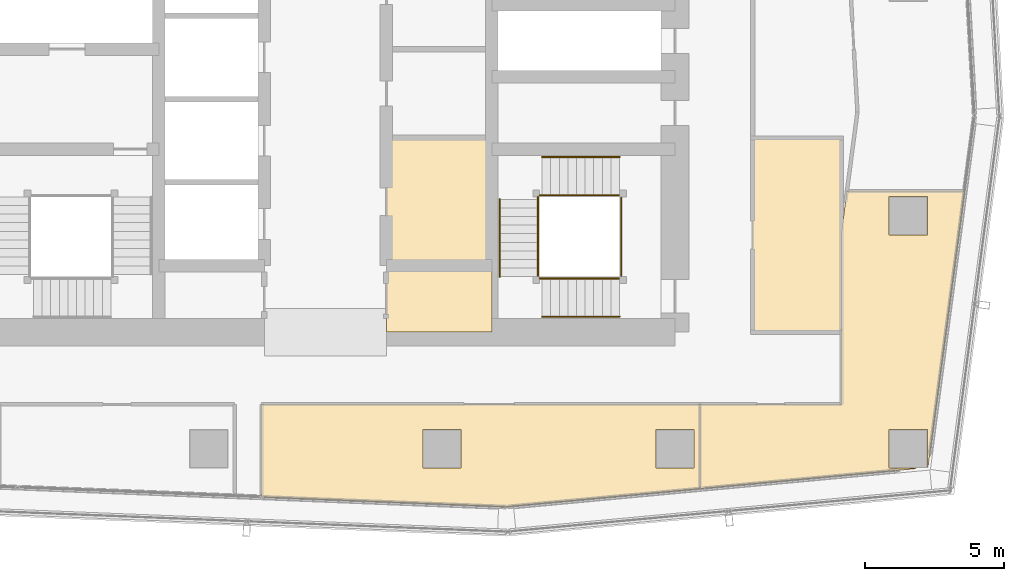
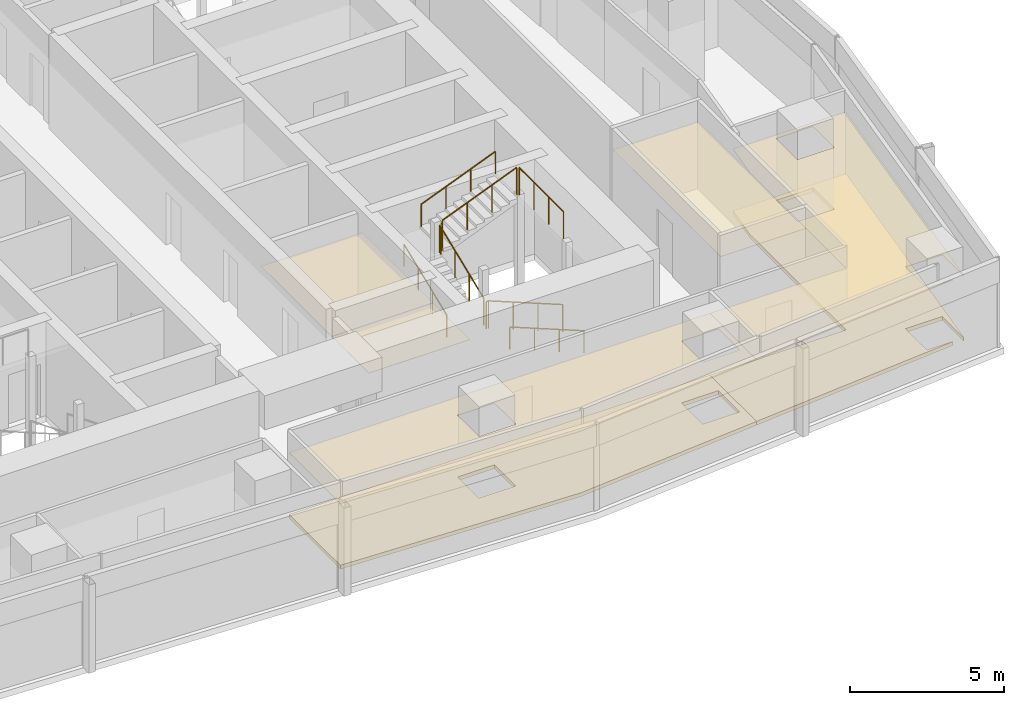
# One storey, part 35 of 38: 10 railings, 7 coverings.
"""IFC4 building model written with IfcOpenShell, lengths in metres."""

from ifc_helpers import new_model, si_unit, direction, frame, origin, origin_2d, place, context, subcontext, project, spatial, polyline, circle, outline, extrude, material, layer, layer_set, type_object, element, save


model = new_model("IFC4")

# Units and contexts
model_context = context("Model", 3, precision=1e-05, world=origin(), true_north=direction((0.0, 1.0)))
body_context = subcontext(model_context, "Body", "Model", "MODEL_VIEW")
ifc_project = project(units=[si_unit("LENGTHUNIT", "METRE"), si_unit("AREAUNIT", "SQUARE_METRE"), si_unit("VOLUMEUNIT", "CUBIC_METRE"), si_unit("PLANEANGLEUNIT", "RADIAN"), si_unit("MASSUNIT", "GRAM", prefix="KILO")], contexts=[model_context])

# Site, building, storey
site_placement = place(None, origin())
site = spatial("IfcSite", under=ifc_project, at=site_placement, CompositionType="ELEMENT")
building_placement = place(site_placement, origin())
building = spatial("IfcBuilding", under=site, at=building_placement, Name="Rekha Terrace Tower", CompositionType="ELEMENT")
storey_placement = place(building_placement, frame((0.0, 0.0, 198.949951171875)))
storey = spatial("IfcBuildingStorey", under=building, at=storey_placement, Name="L50", CompositionType="ELEMENT", Elevation=198.949951171875)

# Coverings
ifc_material_1 = material(Name="Mineral fibre tile in exposed grid", Category="finish")
ifc_layer_1 = layer(ifc_material_1, 0.02001953125)
ifc_layer_set_1 = layer_set([ifc_layer_1], Name="Mineral fibre tile in exposed grid")
covering_type_1 = type_object("IfcCoveringType", Name="CL1 600x1200 office grid ceiling", PredefinedType="CEILING", material=ifc_layer_set_1)
covering_1_placement = place(storey_placement, frame((0.0, 0.0, 2.580078125)))
element("IfcCovering", 1, at=covering_1_placement, inside=storey, type_object=covering_type_1, Name="Ceiling L50-02", PredefinedType="CEILING", context=body_context, shape_type="SweptSolid", body=[
    extrude(outline(polyline([(56.39990234375, 18.39990234375), (51.291015625, 18.39990234375), (51.291015625, 15.362060546875), (59.080078125, 16.0869140625), (59.0791015625, 16.110107421875), (58.110107421875, 16.110107421875), (58.110107421875, 17.489990234375), (59.489990234375, 17.489990234375), (59.489990234375, 16.12890625), (59.510009765625, 16.1279296875), (60.8291015625, 26.0830078125), (56.592041015625, 26.0830078125), (56.39990234375, 24.633056640625), (56.39990234375, 18.39990234375)]), holes=[polyline([(59.489990234375, 24.510009765625), (58.110107421875, 24.510009765625), (58.110107421875, 25.889892578125), (59.489990234375, 25.889892578125), (59.489990234375, 24.510009765625)])]), origin(), (0.0, 0.0, 1.0), 0.02001953125),
])
covering_2_placement = place(storey_placement, frame((0.0, 0.0, 2.580078125)))
element("IfcCovering", 2, at=covering_2_placement, inside=storey, type_object=covering_type_1, Name="Ceiling L50-18", PredefinedType="CEILING", context=body_context, shape_type="SweptSolid", body=[
    extrude(outline(polyline([(35.508056640625, 15.06298828125), (44.343994140625, 14.7109375), (44.343994140625, 14.715087890625), (51.291015625, 15.362060546875), (51.291015625, 18.39990234375), (35.508056640625, 18.39990234375), (35.508056640625, 15.06298828125)]), holes=[polyline([(51.090087890625, 16.110107421875), (49.7099609375, 16.110107421875), (49.7099609375, 17.489990234375), (51.090087890625, 17.489990234375), (51.090087890625, 16.110107421875)]), polyline([(42.68994140625, 17.489990234375), (42.68994140625, 16.110107421875), (41.31005859375, 16.110107421875), (41.31005859375, 17.489990234375), (42.68994140625, 17.489990234375)])]), origin(), (0.0, 0.0, 1.0), 0.02001953125),
])
ifc_material_2 = material(Name="Fibre cement board", Category="finish")
ifc_layer_2 = layer(ifc_material_2, 0.014892578125)
ifc_layer_set_2 = layer_set([ifc_layer_2], Name="Fibre cement board")
covering_type_2 = type_object("IfcCoveringType", Name="CL2 moisture-resistant board ceiling", PredefinedType="CEILING", material=ifc_layer_set_2)
covering_3_placement = place(storey_placement, frame((0.0, 0.0, 2.5849609375)))
element("IfcCovering", 3, at=covering_3_placement, inside=storey, type_object=covering_type_2, Name="Ceiling L50-WCA", PredefinedType="CEILING", context=body_context, shape_type="SweptSolid", body=[
    extrude(outline(polyline([(43.800048828125, 23.39990234375), (40.0, 23.39990234375), (40.0, 21.0), (43.800048828125, 21.0), (43.800048828125, 23.39990234375)])), origin(), (0.0, 0.0, 1.0), 0.01513671875),
])
covering_4_placement = place(storey_placement, frame((0.0, 0.0, 2.5849609375)))
element("IfcCovering", 4, at=covering_4_placement, inside=storey, type_object=covering_type_2, Name="Ceiling L50-FSE1", PredefinedType="CEILING", context=body_context, shape_type="SweptSolid", body=[
    extrude(outline(polyline([(43.800048828125, 28.0), (40.0, 28.0), (40.0, 23.39990234375), (43.800048828125, 23.39990234375), (43.800048828125, 28.0)])), origin(), (0.0, 0.0, 1.0), 0.01513671875),
])
covering_5_placement = place(storey_placement, frame((0.0, 0.0, 2.5849609375)))
element("IfcCovering", 5, at=covering_5_placement, inside=storey, type_object=covering_type_2, Name="Ceiling L50-WCM2", PredefinedType="CEILING", context=body_context, shape_type="SweptSolid", body=[
    extrude(outline(polyline([(56.39990234375, 28.0), (53.199951171875, 28.0), (53.199951171875, 21.0), (56.39990234375, 21.0), (56.39990234375, 28.0)])), origin(), (0.0, 0.0, 1.0), 0.01513671875),
])

# Railings
ifc_material_3 = material(Name="Stainless steel balustrade", Category="steel")
railing_type_1 = type_object("IfcRailingType", Name="GR1 1100 stair guard", PredefinedType="GUARDRAIL", material=ifc_material_3)
railing_1_placement = place(storey_placement, frame((48.39990234375, 22.93994140625, 0.125)))
element("IfcRailing", 6, at=railing_1_placement, inside=storey, type_object=railing_type_1, Name="Guard ST3 L50 flight 1", PredefinedType="GUARDRAIL", context=body_context, shape_type="SweptSolid", body=[
    extrude(circle(Radius=0.02392578125, at=origin_2d()), frame((0.0, 0.0, 1.076171875), z_axis=(-0.927431937212, 0.0, 0.373991980981), x_axis=(0.0, -1.0, 0.0)), (0.0, 0.0, 1.0), 3.008056640625),
    extrude(circle(Radius=0.02099609375, at=origin_2d()), origin(), (0.0, 0.0, 1.0), 1.052001953125),
    extrude(circle(Radius=0.02099609375, at=origin_2d()), frame((-0.929931640625, 0.0, 0.375)), (0.0, 0.0, 1.0), 1.052001953125),
    extrude(circle(Radius=0.02099609375, at=origin_2d()), frame((-1.85986328125, 0.0, 0.75)), (0.0, 0.0, 1.0), 1.052001953125),
    extrude(circle(Radius=0.02099609375, at=origin_2d()), frame((-2.789794921875, 0.0, 1.125)), (0.0, 0.0, 1.0), 1.052001953125),
])
railing_2_placement = place(storey_placement, frame((45.465087890625, 23.0, 1.375)))
element("IfcRailing", 7, at=railing_2_placement, inside=storey, type_object=railing_type_1, Name="Guard ST3 L50 flight 2", PredefinedType="GUARDRAIL", context=body_context, shape_type="SweptSolid", body=[
    extrude(circle(Radius=0.02392578125, at=origin_2d()), frame((0.0, 0.0, 1.076171875), z_axis=(0.0, 0.927443287984, 0.373963831907), x_axis=(-1.0, 0.0, 0.0)), (0.0, 0.0, 1.0), 3.00830078125),
    extrude(circle(Radius=0.02099609375, at=origin_2d()), origin(), (0.0, 0.0, 1.0), 1.052001953125),
    extrude(circle(Radius=0.02099609375, at=origin_2d()), frame((0.0, 0.929931640625, 0.375)), (0.0, 0.0, 1.0), 1.052001953125),
    extrude(circle(Radius=0.02099609375, at=origin_2d()), frame((0.0, 1.860107421875, 0.75)), (0.0, 0.0, 1.0), 1.052001953125),
    extrude(circle(Radius=0.02099609375, at=origin_2d()), frame((0.0, 2.7900390625, 1.125)), (0.0, 0.0, 1.0), 1.052001953125),
])
railing_3_placement = place(storey_placement, frame((45.610107421875, 25.93505859375, 2.625)))
element("IfcRailing", 8, at=railing_3_placement, inside=storey, type_object=railing_type_1, Name="Guard ST3 L50 flight 3", PredefinedType="GUARDRAIL", context=body_context, shape_type="SweptSolid", body=[
    extrude(circle(Radius=0.02392578125, at=origin_2d()), frame((0.0, 0.0, 1.076171875), z_axis=(0.927431937212, 0.0, 0.373991980981), x_axis=(0.0, 1.0, 0.0)), (0.0, 0.0, 1.0), 3.008056640625),
    extrude(circle(Radius=0.02099609375, at=origin_2d()), origin(), (0.0, 0.0, 1.0), 1.052001953125),
    extrude(circle(Radius=0.02099609375, at=origin_2d()), frame((0.929931640625, 0.0, 0.375)), (0.0, 0.0, 1.0), 1.052001953125),
    extrude(circle(Radius=0.02099609375, at=origin_2d()), frame((1.85986328125, 0.0, 0.75)), (0.0, 0.0, 1.0), 1.052001953125),
    extrude(circle(Radius=0.02099609375, at=origin_2d()), frame((2.789794921875, 0.0, 1.125)), (0.0, 0.0, 1.0), 1.052001953125),
])
railing_4_placement = place(storey_placement, frame((45.610107421875, 22.93994140625, 1.25)))
element("IfcRailing", 9, at=railing_4_placement, inside=storey, type_object=railing_type_1, Name="Guard ST3 L50 landing 1", PredefinedType="GUARDRAIL", context=body_context, shape_type="SweptSolid", body=[
    extrude(circle(Radius=0.02392578125, at=origin_2d()), frame((0.0, 0.0, 1.076171875), z_axis=(-1.0, 0.0, 0.0), x_axis=(0.0, -1.0, 0.0)), (0.0, 0.0, 1.0), 0.085205078125),
    extrude(circle(Radius=0.02099609375, at=origin_2d()), origin(), (0.0, 0.0, 1.0), 1.052001953125),
    extrude(circle(Radius=0.02099609375, at=origin_2d()), frame((-0.085205078125, 0.0, 0.0)), (0.0, 0.0, 1.0), 1.052001953125),
])
railing_5_placement = place(storey_placement, frame((45.465087890625, 25.7900390625, 2.5)))
element("IfcRailing", 10, at=railing_5_placement, inside=storey, type_object=railing_type_1, Name="Guard ST3 L50 landing 2", PredefinedType="GUARDRAIL", context=body_context, shape_type="SweptSolid", body=[
    extrude(circle(Radius=0.02392578125, at=origin_2d()), frame((0.0, 0.0, 1.076171875), z_axis=(0.0, 1.0, 0.0), x_axis=(-1.0, 0.0, 0.0)), (0.0, 0.0, 1.0), 0.0849609375),
    extrude(circle(Radius=0.02099609375, at=origin_2d()), origin(), (0.0, 0.0, 1.0), 1.052001953125),
    extrude(circle(Radius=0.02099609375, at=origin_2d()), frame((0.0, 0.0849609375, 0.0)), (0.0, 0.0, 1.0), 1.052001953125),
])
railing_6_placement = place(storey_placement, frame((45.610107421875, 25.93505859375, 2.5)))
element("IfcRailing", 11, at=railing_6_placement, inside=storey, type_object=railing_type_1, Name="Guard ST3 L50 landing 3", PredefinedType="GUARDRAIL", context=body_context, shape_type="SweptSolid", body=[
    extrude(circle(Radius=0.02392578125, at=origin_2d()), frame((0.0, 0.0, 1.076171875), z_axis=(-1.0, 0.0, 0.0), x_axis=(0.0, -1.0, 0.0)), (0.0, 0.0, 1.0), 0.085205078125),
    extrude(circle(Radius=0.02099609375, at=origin_2d()), origin(), (0.0, 0.0, 1.0), 1.052001953125),
    extrude(circle(Radius=0.02099609375, at=origin_2d()), frame((-0.085205078125, 0.0, 0.0)), (0.0, 0.0, 1.0), 1.052001953125),
])
railing_7_placement = place(storey_placement, frame((48.4599609375, 23.0, 3.75)))
element("IfcRailing", 12, at=railing_7_placement, inside=storey, type_object=railing_type_1, Name="Guard ST3 L50 landing 4", PredefinedType="GUARDRAIL", context=body_context, shape_type="SweptSolid", body=[
    extrude(circle(Radius=0.02392578125, at=origin_2d()), frame((0.0, 0.0, 1.076171875), z_axis=(0.0, 1.0, 0.0), x_axis=(-1.0, 0.0, 0.0)), (0.0, 0.0, 1.0), 2.875),
    extrude(circle(Radius=0.02099609375, at=origin_2d()), origin(), (0.0, 0.0, 1.0), 1.052001953125),
    extrude(circle(Radius=0.02099609375, at=origin_2d()), frame((0.0, 0.958251953125, 0.0)), (0.0, 0.0, 1.0), 1.052001953125),
    extrude(circle(Radius=0.02099609375, at=origin_2d()), frame((0.0, 1.916748046875, 0.0)), (0.0, 0.0, 1.0), 1.052001953125),
    extrude(circle(Radius=0.02099609375, at=origin_2d()), frame((0.0, 2.875, 0.0)), (0.0, 0.0, 1.0), 1.052001953125),
])
ifc_material_4 = material(Name="Stainless steel tube", Category="steel")
railing_type_2 = type_object("IfcRailingType", Name="HR1 900 stair handrail", PredefinedType="HANDRAIL", material=ifc_material_4)
railing_8_placement = place(storey_placement, frame((48.39990234375, 21.56005859375, 0.125)))
element("IfcRailing", 13, at=railing_8_placement, inside=storey, type_object=railing_type_2, Name="Handrail ST3 L50 flight 1", PredefinedType="HANDRAIL", context=body_context, shape_type="SweptSolid", body=[
    extrude(circle(Radius=0.02392578125, at=origin_2d()), frame((0.0, 0.0, 0.8759765625), z_axis=(-0.927431937212, 0.0, 0.373991980981), x_axis=(0.0, -1.0, 0.0)), (0.0, 0.0, 1.0), 3.008056640625),
    extrude(circle(Radius=0.02099609375, at=origin_2d()), origin(), (0.0, 0.0, 1.0), 0.851806640625),
    extrude(circle(Radius=0.02099609375, at=origin_2d()), frame((-0.929931640625, 0.0, 0.375)), (0.0, 0.0, 1.0), 0.851806640625),
    extrude(circle(Radius=0.02099609375, at=origin_2d()), frame((-1.85986328125, 0.0, 0.75)), (0.0, 0.0, 1.0), 0.851806640625),
    extrude(circle(Radius=0.02099609375, at=origin_2d()), frame((-2.789794921875, 0.0, 1.125)), (0.0, 0.0, 1.0), 0.851806640625),
])
railing_9_placement = place(storey_placement, frame((44.0849609375, 23.0, 1.375)))
element("IfcRailing", 14, at=railing_9_placement, inside=storey, type_object=railing_type_2, Name="Handrail ST3 L50 flight 2", PredefinedType="HANDRAIL", context=body_context, shape_type="SweptSolid", body=[
    extrude(circle(Radius=0.02392578125, at=origin_2d()), frame((0.0, 0.0, 0.8759765625), z_axis=(0.0, 0.927443287984, 0.373963831907), x_axis=(-1.0, 0.0, 0.0)), (0.0, 0.0, 1.0), 3.00830078125),
    extrude(circle(Radius=0.02099609375, at=origin_2d()), origin(), (0.0, 0.0, 1.0), 0.851806640625),
    extrude(circle(Radius=0.02099609375, at=origin_2d()), frame((0.0, 0.929931640625, 0.375)), (0.0, 0.0, 1.0), 0.851806640625),
    extrude(circle(Radius=0.02099609375, at=origin_2d()), frame((0.0, 1.860107421875, 0.75)), (0.0, 0.0, 1.0), 0.851806640625),
    extrude(circle(Radius=0.02099609375, at=origin_2d()), frame((0.0, 2.7900390625, 1.125)), (0.0, 0.0, 1.0), 0.851806640625),
])
railing_10_placement = place(storey_placement, frame((45.610107421875, 27.31494140625, 2.625)))
element("IfcRailing", 15, at=railing_10_placement, inside=storey, type_object=railing_type_2, Name="Handrail ST3 L50 flight 3", PredefinedType="HANDRAIL", context=body_context, shape_type="SweptSolid", body=[
    extrude(circle(Radius=0.02392578125, at=origin_2d()), frame((0.0, 0.0, 0.8759765625), z_axis=(0.927431937212, 0.0, 0.373991980981), x_axis=(0.0, 1.0, 0.0)), (0.0, 0.0, 1.0), 3.008056640625),
    extrude(circle(Radius=0.02099609375, at=origin_2d()), origin(), (0.0, 0.0, 1.0), 0.851806640625),
    extrude(circle(Radius=0.02099609375, at=origin_2d()), frame((0.929931640625, 0.0, 0.375)), (0.0, 0.0, 1.0), 0.851806640625),
    extrude(circle(Radius=0.02099609375, at=origin_2d()), frame((1.85986328125, 0.0, 0.75)), (0.0, 0.0, 1.0), 0.851806640625),
    extrude(circle(Radius=0.02099609375, at=origin_2d()), frame((2.789794921875, 0.0, 1.125)), (0.0, 0.0, 1.0), 0.851806640625),
])

# Coverings
ifc_material_5 = material(Name="Calcium sulphate panels on steel pedestals", Category="steel")
ifc_layer_3 = layer(ifc_material_5, 0.14990234375)
ifc_layer_set_3 = layer_set([ifc_layer_3], Name="Calcium sulphate panels on steel pedestals")
covering_type_3 = type_object("IfcCoveringType", Name="RF1 150 raised access floor", PredefinedType="FLOORING", material=ifc_layer_set_3)
covering_6_placement = place(storey_placement, origin())
element("IfcCovering", 16, at=covering_6_placement, inside=storey, type_object=covering_type_3, Name="Raised floor L50-02", PredefinedType="FLOORING", context=body_context, shape_type="SweptSolid", body=[
    extrude(outline(polyline([(56.39990234375, 18.39990234375), (51.291015625, 18.39990234375), (51.291015625, 15.362060546875), (59.080078125, 16.0869140625), (59.0791015625, 16.110107421875), (58.110107421875, 16.110107421875), (58.110107421875, 17.489990234375), (59.489990234375, 17.489990234375), (59.489990234375, 16.12890625), (59.510009765625, 16.1279296875), (60.8291015625, 26.0830078125), (56.592041015625, 26.0830078125), (56.39990234375, 24.633056640625), (56.39990234375, 18.39990234375)]), holes=[polyline([(59.489990234375, 24.510009765625), (58.110107421875, 24.510009765625), (58.110107421875, 25.889892578125), (59.489990234375, 25.889892578125), (59.489990234375, 24.510009765625)])]), origin(), (0.0, 0.0, 1.0), 0.150146484375),
])
covering_7_placement = place(storey_placement, origin())
element("IfcCovering", 17, at=covering_7_placement, inside=storey, type_object=covering_type_3, Name="Raised floor L50-18", PredefinedType="FLOORING", context=body_context, shape_type="SweptSolid", body=[
    extrude(outline(polyline([(35.508056640625, 15.06298828125), (44.343994140625, 14.7109375), (44.343994140625, 14.715087890625), (51.291015625, 15.362060546875), (51.291015625, 18.39990234375), (35.508056640625, 18.39990234375), (35.508056640625, 15.06298828125)]), holes=[polyline([(51.090087890625, 16.110107421875), (49.7099609375, 16.110107421875), (49.7099609375, 17.489990234375), (51.090087890625, 17.489990234375), (51.090087890625, 16.110107421875)]), polyline([(42.68994140625, 17.489990234375), (42.68994140625, 16.110107421875), (41.31005859375, 16.110107421875), (41.31005859375, 17.489990234375), (42.68994140625, 17.489990234375)])]), origin(), (0.0, 0.0, 1.0), 0.150146484375),
])

save(model, "model.ifc")
